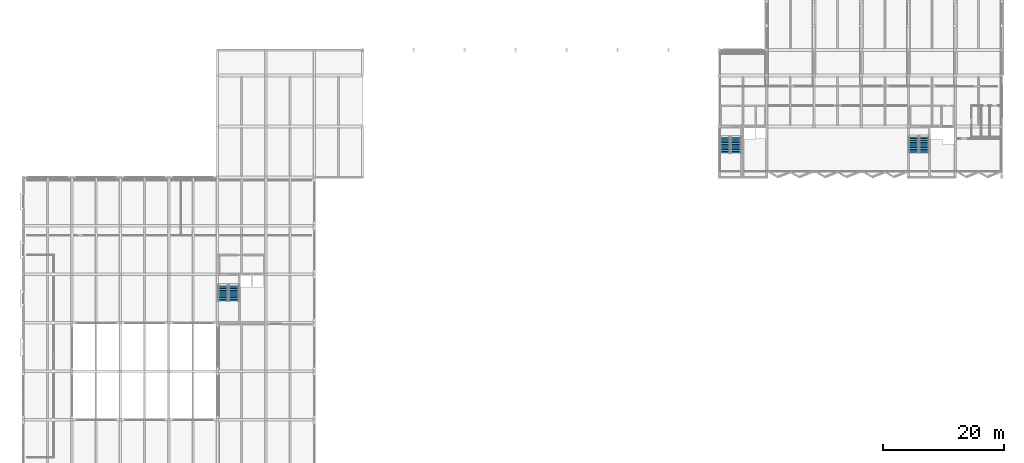
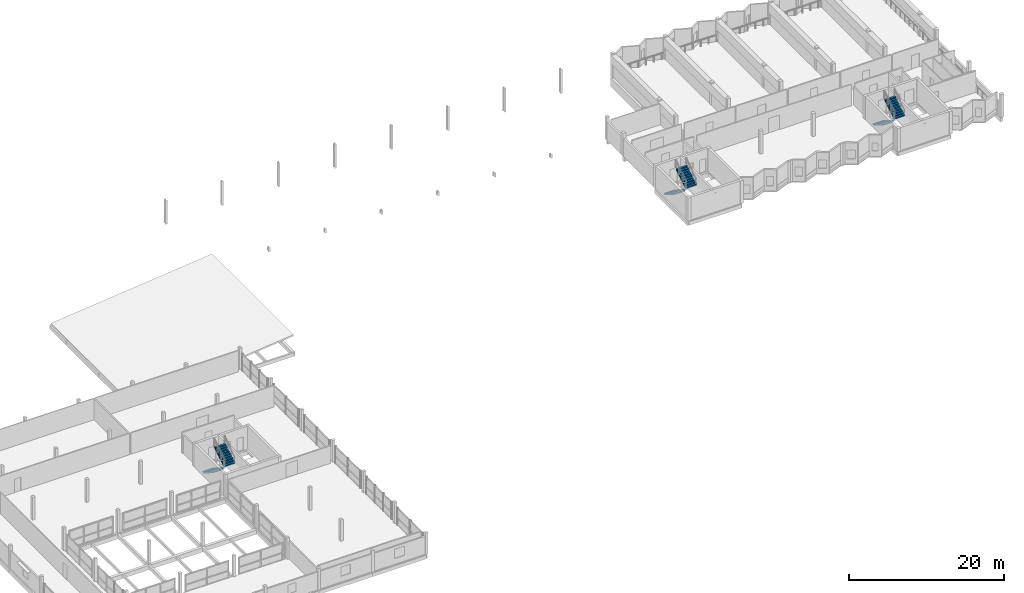
# One storey, part 29 of 34: 6 stair flights, 3 elements without a shape of their own.
"""IFC4 building model written with IfcOpenShell, lengths in metres."""

from ifc_helpers import new_model, si_unit, direction, frame, origin, place, context, subcontext, project, spatial, polyline, outline, extrude, material, type_object, element, aggregate, save


model = new_model("IFC4")

# Units and contexts
model_context = context("Model", 3, precision=1e-05, world=origin(), true_north=direction((0.0, 1.0)))
body_context = subcontext(model_context, "Body", "Model", "MODEL_VIEW")
ifc_project = project(units=[si_unit("LENGTHUNIT", "METRE"), si_unit("AREAUNIT", "SQUARE_METRE"), si_unit("VOLUMEUNIT", "CUBIC_METRE"), si_unit("PLANEANGLEUNIT", "RADIAN"), si_unit("MASSUNIT", "GRAM", prefix="KILO")], contexts=[model_context])

# Site, building, storey
site_placement = place(None, origin())
site = spatial("IfcSite", under=ifc_project, at=site_placement, CompositionType="ELEMENT")
building_placement = place(site_placement, origin())
building = spatial("IfcBuilding", under=site, at=building_placement, Name="Vharandega Faculty of Natural Sciences", CompositionType="ELEMENT")
storey_placement = place(building_placement, frame((0.0, 0.0, 21.60009765625)))
storey = spatial("IfcBuildingStorey", under=building, at=storey_placement, Name="L05", CompositionType="ELEMENT", Elevation=21.60009765625)

# Stair, stair flights
ifc_material_1 = material(Name="Concrete C40/50", Category="concrete")
stair_type_1 = type_object("IfcStairType", Name="Escape Dog-Leg Stair W160 H360", PredefinedType="HALF_TURN_STAIR", material=ifc_material_1)
stair_1_placement = place(storey_placement, origin())
stair_1 = element("IfcStair", 1, at=stair_1_placement, inside=storey, type_object=stair_type_1, Name="L05 Escape Stair ST2", PredefinedType="HALF_TURN_STAIR")
ifc_material_2 = material(Name="Concrete C40/50", Category="concrete")
stair_flight_type_1 = type_object("IfcStairFlightType", Name="Precast Stair Flight W160 H360", PredefinedType="STRAIGHT", material=ifc_material_2)
stair_flight_1_placement = place(storey_placement, frame((146.860107421875, 70.659912109375, 0.0), z_axis=(0.0, 0.0, 1.0), x_axis=(0.0, -1.0, 0.0)))
stair_flight_1 = element("IfcStairFlight", 2, at=stair_flight_1_placement, type_object=stair_flight_type_1, Name="ST2 flight 1", NumberOfRisers=10, NumberOfTreads=9, PredefinedType="STRAIGHT", RiserHeight=0.18, TreadLength=0.29, context=body_context, shape_type="SweptSolid", body=[
    extrude(outline(polyline([(0.0, 0.0), (0.0, 0.179931640625), (0.2900390625, 0.179931640625), (0.2900390625, 0.360107421875), (0.580078125, 0.360107421875), (0.580078125, 0.5400390625), (0.8701171875, 0.5400390625), (0.8701171875, 0.719970703125), (1.159912109375, 0.719970703125), (1.159912109375, 0.89990234375), (1.449951171875, 0.89990234375), (1.449951171875, 1.080078125), (1.739990234375, 1.080078125), (1.739990234375, 1.260009765625), (2.030029296875, 1.260009765625), (2.030029296875, 1.43994140625), (2.320068359375, 1.43994140625), (2.320068359375, 1.6201171875), (2.610107421875, 1.6201171875), (2.610107421875, 1.800048828125), (2.610107421875, 1.443603515625), (0.2841796875, 0.0), (0.0, 0.0)])), frame((0.0, 0.800048828125, 0.0), z_axis=(0.0, -1.0, 0.0), x_axis=(1.0, 0.0, 0.0)), (0.0, 0.0, 1.0), 1.60009765625),
])
stair_flight_2_placement = place(storey_placement, frame((148.580078125, 68.050048828125, 1.7998046875), z_axis=(0.0, 0.0, 1.0), x_axis=(0.0, 1.0, 0.0)))
stair_flight_2 = element("IfcStairFlight", 3, at=stair_flight_2_placement, type_object=stair_flight_type_1, Name="ST2 flight 2", NumberOfRisers=10, NumberOfTreads=9, PredefinedType="STRAIGHT", RiserHeight=0.18, TreadLength=0.29, context=body_context, shape_type="SweptSolid", body=[
    extrude(outline(polyline([(0.0, 0.0), (0.0, 0.179931640625), (0.2900390625, 0.179931640625), (0.2900390625, 0.360107421875), (0.580078125, 0.360107421875), (0.580078125, 0.5400390625), (0.8701171875, 0.5400390625), (0.8701171875, 0.719970703125), (1.159912109375, 0.719970703125), (1.159912109375, 0.89990234375), (1.449951171875, 0.89990234375), (1.449951171875, 1.080078125), (1.739990234375, 1.080078125), (1.739990234375, 1.260009765625), (2.030029296875, 1.260009765625), (2.030029296875, 1.43994140625), (2.320068359375, 1.43994140625), (2.320068359375, 1.6201171875), (2.610107421875, 1.6201171875), (2.610107421875, 1.800048828125), (2.610107421875, 1.443603515625), (0.2841796875, 0.0), (0.0, 0.0)])), frame((0.0, 0.800048828125, 0.0), z_axis=(0.0, -1.0, 0.0), x_axis=(1.0, 0.0, 0.0)), (0.0, 0.0, 1.0), 1.60009765625),
])
aggregate(stair_1, [stair_flight_1, stair_flight_2])

ifc_material_3 = material(Name="Concrete C40/50", Category="concrete")
stair_type_2 = type_object("IfcStairType", Name="Escape Dog-Leg Stair W165 H360", PredefinedType="HALF_TURN_STAIR", material=ifc_material_3)
stair_2_placement = place(storey_placement, origin())
stair_2 = element("IfcStair", 4, at=stair_2_placement, inside=storey, type_object=stair_type_2, Name="L05 Escape Stair ST1", PredefinedType="HALF_TURN_STAIR")
ifc_material_4 = material(Name="Concrete C40/50", Category="concrete")
stair_flight_type_2 = type_object("IfcStairFlightType", Name="Precast Stair Flight W165 H360", PredefinedType="STRAIGHT", material=ifc_material_4)
stair_flight_3_placement = place(storey_placement, frame((115.764892578125, 70.610107421875, 0.0), z_axis=(0.0, 0.0, 1.0), x_axis=(0.0, -1.0, 0.0)))
stair_flight_3 = element("IfcStairFlight", 5, at=stair_flight_3_placement, type_object=stair_flight_type_2, Name="ST1 flight 1", NumberOfRisers=10, NumberOfTreads=9, PredefinedType="STRAIGHT", RiserHeight=0.18, TreadLength=0.29, context=body_context, shape_type="SweptSolid", body=[
    extrude(outline(polyline([(0.0, 0.0), (0.0, 0.179931640625), (0.2900390625, 0.179931640625), (0.2900390625, 0.360107421875), (0.580078125, 0.360107421875), (0.580078125, 0.5400390625), (0.8701171875, 0.5400390625), (0.8701171875, 0.719970703125), (1.159912109375, 0.719970703125), (1.159912109375, 0.89990234375), (1.449951171875, 0.89990234375), (1.449951171875, 1.080078125), (1.739990234375, 1.080078125), (1.739990234375, 1.260009765625), (2.030029296875, 1.260009765625), (2.030029296875, 1.43994140625), (2.320068359375, 1.43994140625), (2.320068359375, 1.6201171875), (2.610107421875, 1.6201171875), (2.610107421875, 1.800048828125), (2.610107421875, 1.443603515625), (0.2841796875, 0.0), (0.0, 0.0)])), frame((0.0, 0.824951171875, 0.0), z_axis=(0.0, -1.0, 0.0), x_axis=(1.0, 0.0, 0.0)), (0.0, 0.0, 1.0), 1.64990234375),
])
stair_flight_4_placement = place(storey_placement, frame((117.534912109375, 68.0, 1.7998046875), z_axis=(0.0, 0.0, 1.0), x_axis=(0.0, 1.0, 0.0)))
stair_flight_4 = element("IfcStairFlight", 6, at=stair_flight_4_placement, type_object=stair_flight_type_2, Name="ST1 flight 2", NumberOfRisers=10, NumberOfTreads=9, PredefinedType="STRAIGHT", RiserHeight=0.18, TreadLength=0.29, context=body_context, shape_type="SweptSolid", body=[
    extrude(outline(polyline([(0.0, 0.0), (0.0, 0.179931640625), (0.2900390625, 0.179931640625), (0.2900390625, 0.360107421875), (0.580078125, 0.360107421875), (0.580078125, 0.5400390625), (0.8701171875, 0.5400390625), (0.8701171875, 0.719970703125), (1.159912109375, 0.719970703125), (1.159912109375, 0.89990234375), (1.449951171875, 0.89990234375), (1.449951171875, 1.080078125), (1.739990234375, 1.080078125), (1.739990234375, 1.260009765625), (2.030029296875, 1.260009765625), (2.030029296875, 1.43994140625), (2.320068359375, 1.43994140625), (2.320068359375, 1.6201171875), (2.610107421875, 1.6201171875), (2.610107421875, 1.800048828125), (2.610107421875, 1.443603515625), (0.2841796875, 0.0), (0.0, 0.0)])), frame((0.0, 0.824951171875, 0.0), z_axis=(0.0, -1.0, 0.0), x_axis=(1.0, 0.0, 0.0)), (0.0, 0.0, 1.0), 1.64990234375),
])
aggregate(stair_2, [stair_flight_3, stair_flight_4])

stair_3_placement = place(storey_placement, origin())
stair_3 = element("IfcStair", 7, at=stair_3_placement, inside=storey, type_object=stair_type_2, Name="L05 Escape Stair ST3", PredefinedType="HALF_TURN_STAIR")
stair_flight_5_placement = place(storey_placement, frame((32.965087890625, 46.2099609375, 0.0), z_axis=(0.0, 0.0, 1.0), x_axis=(0.0, -1.0, 0.0)))
stair_flight_5 = element("IfcStairFlight", 8, at=stair_flight_5_placement, type_object=stair_flight_type_2, Name="ST3 flight 1", NumberOfRisers=10, NumberOfTreads=9, PredefinedType="STRAIGHT", RiserHeight=0.18, TreadLength=0.29, context=body_context, shape_type="SweptSolid", body=[
    extrude(outline(polyline([(0.0, 0.0), (0.0, 0.179931640625), (0.2900390625, 0.179931640625), (0.2900390625, 0.360107421875), (0.580078125, 0.360107421875), (0.580078125, 0.5400390625), (0.8701171875, 0.5400390625), (0.8701171875, 0.719970703125), (1.159912109375, 0.719970703125), (1.159912109375, 0.89990234375), (1.449951171875, 0.89990234375), (1.449951171875, 1.080078125), (1.739990234375, 1.080078125), (1.739990234375, 1.260009765625), (2.030029296875, 1.260009765625), (2.030029296875, 1.43994140625), (2.320068359375, 1.43994140625), (2.320068359375, 1.6201171875), (2.610107421875, 1.6201171875), (2.610107421875, 1.800048828125), (2.610107421875, 1.443603515625), (0.2841796875, 0.0), (0.0, 0.0)])), frame((0.0, 0.824951171875, 0.0), z_axis=(0.0, -1.0, 0.0), x_axis=(1.0, 0.0, 0.0)), (0.0, 0.0, 1.0), 1.64990234375),
])
stair_flight_6_placement = place(storey_placement, frame((34.735107421875, 43.60009765625, 1.7998046875), z_axis=(0.0, 0.0, 1.0), x_axis=(0.0, 1.0, 0.0)))
stair_flight_6 = element("IfcStairFlight", 9, at=stair_flight_6_placement, type_object=stair_flight_type_2, Name="ST3 flight 2", NumberOfRisers=10, NumberOfTreads=9, PredefinedType="STRAIGHT", RiserHeight=0.18, TreadLength=0.29, context=body_context, shape_type="SweptSolid", body=[
    extrude(outline(polyline([(0.0, 0.0), (0.0, 0.179931640625), (0.2900390625, 0.179931640625), (0.2900390625, 0.360107421875), (0.580078125, 0.360107421875), (0.580078125, 0.5400390625), (0.8701171875, 0.5400390625), (0.8701171875, 0.719970703125), (1.159912109375, 0.719970703125), (1.159912109375, 0.89990234375), (1.449951171875, 0.89990234375), (1.449951171875, 1.080078125), (1.739990234375, 1.080078125), (1.739990234375, 1.260009765625), (2.030029296875, 1.260009765625), (2.030029296875, 1.43994140625), (2.320068359375, 1.43994140625), (2.320068359375, 1.6201171875), (2.610107421875, 1.6201171875), (2.610107421875, 1.800048828125), (2.610107421875, 1.443603515625), (0.2841796875, 0.0), (0.0, 0.0)])), frame((0.0, 0.824951171875, 0.0), z_axis=(0.0, -1.0, 0.0), x_axis=(1.0, 0.0, 0.0)), (0.0, 0.0, 1.0), 1.64990234375),
])
aggregate(stair_3, [stair_flight_5, stair_flight_6])

save(model, "model.ifc")
